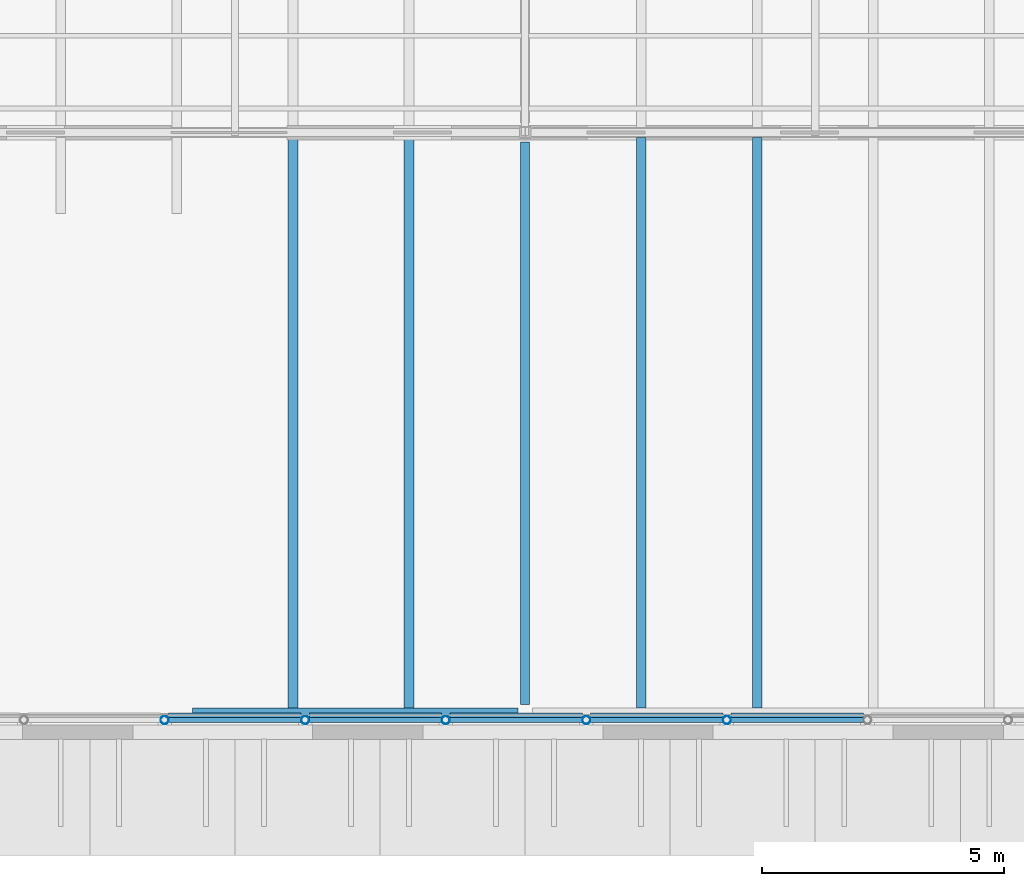
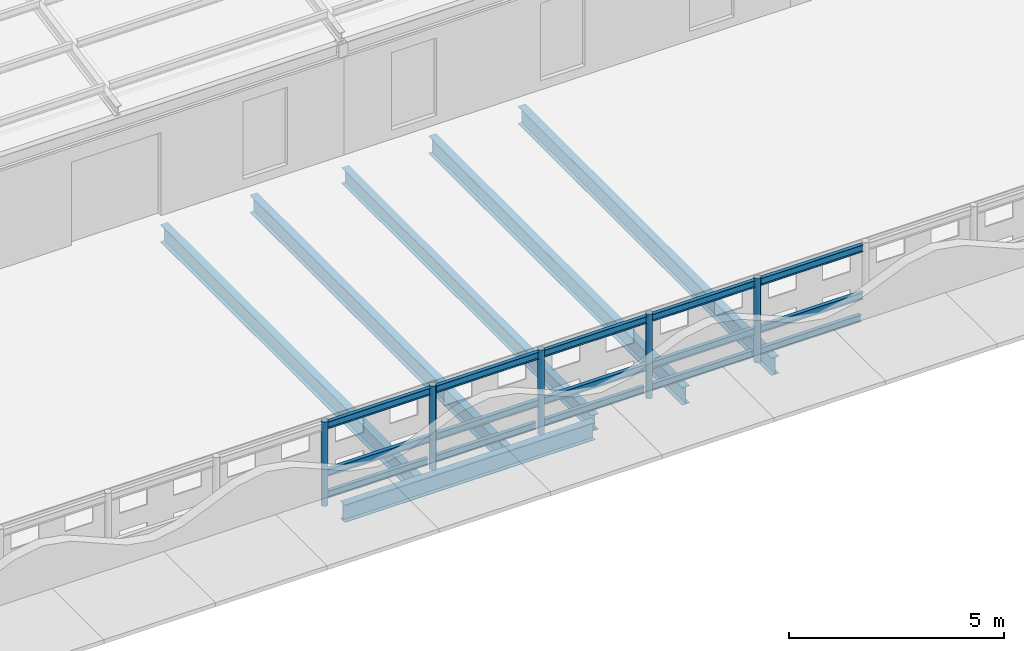
# One storey, part 27 of 91: 20 members, 6 beams.
"""IFC4 building model written with IfcOpenShell, lengths in metres."""

from ifc_helpers import new_model, si_unit, direction, frame, origin, origin_2d, place, context, subcontext, project, spatial, hollow_circle, i_section, extrude, material, material_profile, profile_set, type_object, element, save


model = new_model("IFC4")

# Units and contexts
model_context = context("Model", 3, precision=1e-05, world=origin(), true_north=direction((0.0, 1.0)))
body_context = subcontext(model_context, "Body", "Model", "MODEL_VIEW")
ifc_project = project(units=[si_unit("LENGTHUNIT", "METRE"), si_unit("AREAUNIT", "SQUARE_METRE"), si_unit("VOLUMEUNIT", "CUBIC_METRE"), si_unit("PLANEANGLEUNIT", "RADIAN"), si_unit("MASSUNIT", "GRAM", prefix="KILO")], contexts=[model_context])

# Site, building, storey
site_placement = place(None, origin())
site = spatial("IfcSite", under=ifc_project, at=site_placement, CompositionType="ELEMENT")
building_placement = place(site_placement, origin())
building = spatial("IfcBuilding", under=site, at=building_placement, Name="Ravi Spectrum Wholesale Market", CompositionType="ELEMENT")
storey_placement = place(building_placement, frame((0.0, 0.0, 16.199951171875)))
storey = spatial("IfcBuildingStorey", under=building, at=storey_placement, Name="ROOF PLANT LEVEL", CompositionType="ELEMENT", Elevation=16.199951171875)

# Members
ifc_material_1 = material(Name="Steel S355", Category="steel")
ifc_material_profile_1 = material_profile(ifc_material_1, hollow_circle(Radius=0.084228515625, WallThickness=0.00634765625, at=origin_2d()))
ifc_profile_set_1 = profile_set([ifc_material_profile_1], Name="Steel S355")
member_type_1 = type_object("IfcMemberType", Name="CHS 168.3x6.3 post", PredefinedType="POST", material=ifc_profile_set_1)
for number, where, z_axis, x_axis, name in (
    (1, (238.546630859375, 17.85009765625, 0.0), (0.0, 0.0, 1.0), (1.0, 0.0, 0.0), "CS-MB-ROOF-015"),
    (2, (241.453369140625, 17.85009765625, 0.0), (0.0, 0.0, 1.0), (1.0, 0.0, 0.0), "CS-MB-ROOF-016"),
    (3, (244.3603515625, 17.85009765625, 0.0), (0.0, 0.0, 1.0), (1.0, 0.0, 0.0), "CS-MB-ROOF-017"),
    (4, (247.267333984375, 17.85009765625, 0.0), (0.0, 0.0, 1.0), (1.0, 0.0, 0.0), "CS-MB-ROOF-018"),
    (5, (250.174072265625, 17.85009765625, 0.0), (0.0, 0.0, 1.0), (1.0, 0.0, 0.0), "CS-MB-ROOF-019"),
):
    element("IfcMember", number, at=place(storey_placement, frame(where, z_axis=z_axis, x_axis=x_axis)), inside=storey, type_object=member_type_1, Name=name, PredefinedType="POST", context=body_context, shape_type="SweptSolid", body=[
        extrude(hollow_circle(Radius=0.084228515625, WallThickness=0.00634765625, at=origin_2d()), origin(), (0.0, 0.0, 1.0), 2.400146484375),
    ])
ifc_material_2 = material(Name="Steel S355", Category="steel")
ifc_material_profile_2 = material_profile(ifc_material_2, i_section(OverallWidth=0.10009765625, OverallDepth=0.199951171875, WebThickness=0.005615234375, FlangeThickness=0.008544921875, at=origin_2d()))
ifc_profile_set_2 = profile_set([ifc_material_profile_2], Name="Steel S355")
member_type_2 = type_object("IfcMemberType", Name="IPE 200 purlin", PredefinedType="PURLIN", material=ifc_profile_set_2)
for number, where, z_axis, x_axis, name in (
    (6, (238.630615234375, 17.85009765625, 0.900146484375), (1.0, 0.0, 0.0), (0.0, 1.0, 0.0), "CS-MB-ROOF-135"),
    (7, (238.630615234375, 17.85009765625, 2.25), (1.0, 0.0, 0.0), (0.0, 1.0, 0.0), "CS-MB-ROOF-136"),
    (8, (238.630615234375, 17.94921875, 0.199951171875), (1.0, 0.0, 0.0), (0.0, 1.0, 0.0), "CS-MB-ROOF-137"),
):
    element("IfcMember", number, at=place(storey_placement, frame(where, z_axis=z_axis, x_axis=x_axis)), inside=storey, type_object=member_type_2, Name=name, PredefinedType="PURLIN", context=body_context, shape_type="SweptSolid", body=[
        extrude(i_section(OverallWidth=0.10009765625, OverallDepth=0.199951171875, WebThickness=0.005615234375, FlangeThickness=0.008544921875, at=origin_2d()), origin(), (0.0, 0.0, 1.0), 2.73876953125),
    ])
for number, where, z_axis, x_axis, name in (
    (9, (241.53759765625, 17.85009765625, 0.900146484375), (1.0, 0.0, 0.0), (0.0, 1.0, 0.0), "CS-MB-ROOF-138"),
    (10, (241.53759765625, 17.85009765625, 2.25), (1.0, 0.0, 0.0), (0.0, 1.0, 0.0), "CS-MB-ROOF-139"),
    (11, (241.53759765625, 17.94921875, 0.199951171875), (1.0, 0.0, 0.0), (0.0, 1.0, 0.0), "CS-MB-ROOF-140"),
    (12, (244.444580078125, 17.85009765625, 0.900146484375), (1.0, 0.0, 0.0), (0.0, 1.0, 0.0), "CS-MB-ROOF-141"),
    (13, (244.444580078125, 17.85009765625, 2.25), (1.0, 0.0, 0.0), (0.0, 1.0, 0.0), "CS-MB-ROOF-142"),
    (14, (244.444580078125, 17.94921875, 0.199951171875), (1.0, 0.0, 0.0), (0.0, 1.0, 0.0), "CS-MB-ROOF-143"),
):
    element("IfcMember", number, at=place(storey_placement, frame(where, z_axis=z_axis, x_axis=x_axis)), inside=storey, type_object=member_type_2, Name=name, PredefinedType="PURLIN", context=body_context, shape_type="SweptSolid", body=[
        extrude(i_section(OverallWidth=0.10009765625, OverallDepth=0.199951171875, WebThickness=0.005615234375, FlangeThickness=0.008544921875, at=origin_2d()), origin(), (0.0, 0.0, 1.0), 2.738525390625),
    ])
for number, where, z_axis, x_axis, name in (
    (15, (247.351318359375, 17.85009765625, 0.900146484375), (1.0, 0.0, 0.0), (0.0, 1.0, 0.0), "CS-MB-ROOF-144"),
    (16, (247.351318359375, 17.85009765625, 2.25), (1.0, 0.0, 0.0), (0.0, 1.0, 0.0), "CS-MB-ROOF-145"),
    (17, (247.351318359375, 17.94921875, 0.199951171875), (1.0, 0.0, 0.0), (0.0, 1.0, 0.0), "CS-MB-ROOF-146"),
):
    element("IfcMember", number, at=place(storey_placement, frame(where, z_axis=z_axis, x_axis=x_axis)), inside=storey, type_object=member_type_2, Name=name, PredefinedType="PURLIN", context=body_context, shape_type="SweptSolid", body=[
        extrude(i_section(OverallWidth=0.10009765625, OverallDepth=0.199951171875, WebThickness=0.005615234375, FlangeThickness=0.008544921875, at=origin_2d()), origin(), (0.0, 0.0, 1.0), 2.73876953125),
    ])
for number, where, z_axis, x_axis, name in (
    (18, (250.25830078125, 17.85009765625, 0.900146484375), (1.0, 0.0, 0.0), (0.0, 1.0, 0.0), "CS-MB-ROOF-147"),
    (19, (250.25830078125, 17.85009765625, 2.25), (1.0, 0.0, 0.0), (0.0, 1.0, 0.0), "CS-MB-ROOF-148"),
    (20, (250.25830078125, 17.94921875, 0.199951171875), (1.0, 0.0, 0.0), (0.0, 1.0, 0.0), "CS-MB-ROOF-149"),
):
    element("IfcMember", number, at=place(storey_placement, frame(where, z_axis=z_axis, x_axis=x_axis)), inside=storey, type_object=member_type_2, Name=name, PredefinedType="PURLIN", context=body_context, shape_type="SweptSolid", body=[
        extrude(i_section(OverallWidth=0.10009765625, OverallDepth=0.199951171875, WebThickness=0.005615234375, FlangeThickness=0.008544921875, at=origin_2d()), origin(), (0.0, 0.0, 1.0), 2.738525390625),
    ])

# Beams
ifc_material_3 = material(Name="Steel S355", Category="steel")
ifc_material_profile_3 = material_profile(ifc_material_3, i_section(OverallWidth=0.18994140625, OverallDepth=0.449951171875, WebThickness=0.009521484375, FlangeThickness=0.0146484375, at=origin_2d()))
ifc_profile_set_3 = profile_set([ifc_material_profile_3], Name="Steel S355")
beam_type_1 = type_object("IfcBeamType", Name="IPE 450 girder", PredefinedType="BEAM", material=ifc_profile_set_3)
beam_1_placement = place(storey_placement, frame((246.0, 18.169921875, -0.474853515625), z_axis=(0.0, 1.0, 0.0), x_axis=(-1.0, 0.0, 0.0)))
element("IfcBeam", 21, at=beam_1_placement, inside=storey, type_object=beam_type_1, Name="CS-BM-ROOF-052", PredefinedType="BEAM", context=body_context, shape_type="SweptSolid", body=[
    extrude(i_section(OverallWidth=0.18994140625, OverallDepth=0.449951171875, WebThickness=0.009521484375, FlangeThickness=0.0146484375, at=origin_2d()), origin(), (0.0, 0.0, 1.0), 11.630126953125),
])
ifc_material_4 = material(Name="Steel S355", Category="steel")
ifc_material_profile_4 = material_profile(ifc_material_4, i_section(OverallWidth=0.199951171875, OverallDepth=0.5, WebThickness=0.01025390625, FlangeThickness=0.01611328125, at=origin_2d()))
ifc_profile_set_4 = profile_set([ifc_material_profile_4], Name="Steel S355")
beam_type_2 = type_object("IfcBeamType", Name="IPE 500 beam", PredefinedType="BEAM", material=ifc_profile_set_4)
beam_2_placement = place(storey_placement, frame((239.125, 18.0, -0.5), z_axis=(1.0, 0.0, 0.0), x_axis=(0.0, 1.0, 0.0)))
element("IfcBeam", 22, at=beam_2_placement, inside=storey, type_object=beam_type_2, Name="CS-BM-ROOF-004", PredefinedType="BEAM", context=body_context, shape_type="SweptSolid", body=[
    extrude(i_section(OverallWidth=0.199951171875, OverallDepth=0.5, WebThickness=0.01025390625, FlangeThickness=0.01611328125, at=origin_2d()), origin(), (0.0, 0.0, 1.0), 6.72509765625),
])
for number, where, z_axis, x_axis, name in (
    (23, (241.199951171875, 18.10009765625, -0.5), (0.0, 1.0, 0.0), (-1.0, 0.0, 0.0), "CS-BM-ROOF-118"),
    (24, (243.60009765625, 18.10009765625, -0.5), (0.0, 1.0, 0.0), (-1.0, 0.0, 0.0), "CS-BM-ROOF-119"),
    (25, (248.39990234375, 18.10009765625, -0.5), (0.0, 1.0, 0.0), (-1.0, 0.0, 0.0), "CS-BM-ROOF-132"),
    (26, (250.800048828125, 18.10009765625, -0.5), (0.0, 1.0, 0.0), (-1.0, 0.0, 0.0), "CS-BM-ROOF-133"),
):
    element("IfcBeam", number, at=place(storey_placement, frame(where, z_axis=z_axis, x_axis=x_axis)), inside=storey, type_object=beam_type_2, Name=name, PredefinedType="BEAM", context=body_context, shape_type="SweptSolid", body=[
        extrude(i_section(OverallWidth=0.199951171875, OverallDepth=0.5, WebThickness=0.01025390625, FlangeThickness=0.01611328125, at=origin_2d()), origin(), (0.0, 0.0, 1.0), 11.7998046875),
    ])

save(model, "model.ifc")
